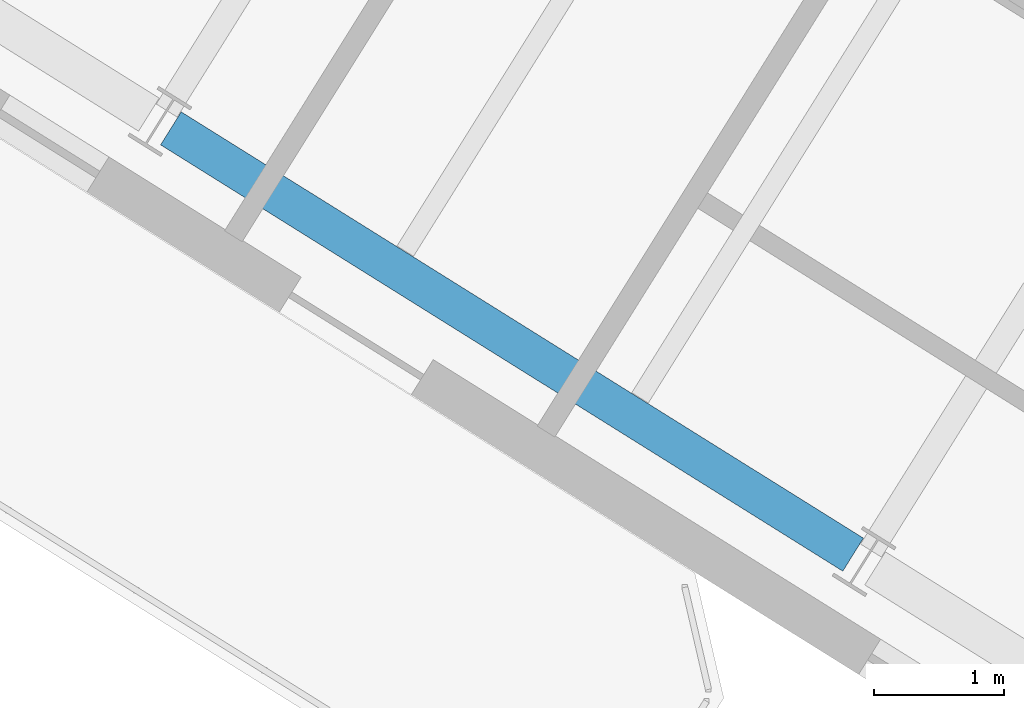
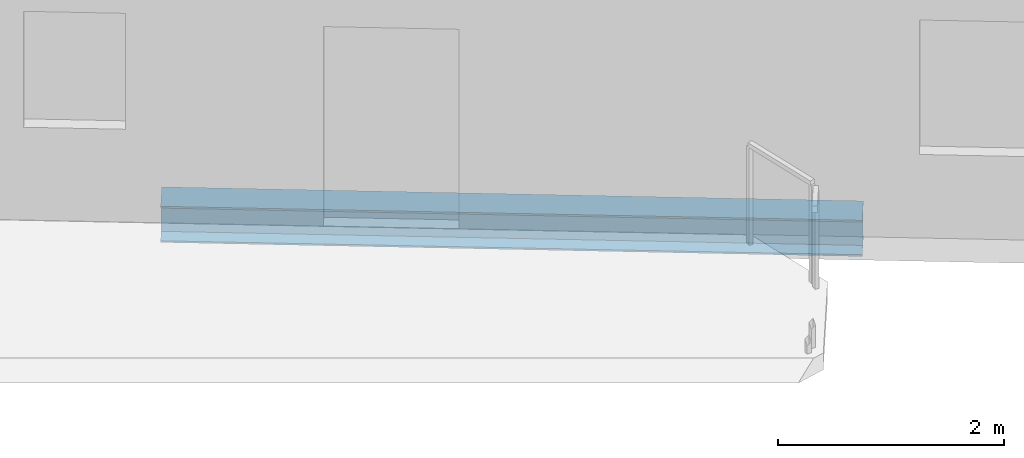
# One storey, part 5 of 27: 1 beam.
"""IFC4 building model written with IfcOpenShell, lengths in metres."""

import ifcopenshell
import ifcopenshell.guid

model = None  # the IFC model being written
_history = None  # IfcOwnerHistory: only IFC2X3 demands one
_inside = {}  # id of a spatial element -> (the spatial element, [elements in it])
_under = {}  # id of a project, library or spatial element -> (it, [spatial elements below it])
_declared = {}  # id of a project -> (the project, [libraries it declares])
_typed = {}  # id of a type object -> (the type object, [elements of that type])
_made_of = {}  # id of a material, layer set ... -> (it, [elements and type objects made of it])


def new_model(schema):
    """Start an empty IFC model of exactly this schema.

    Asked for "IFC4X3", IfcOpenShell would pick the latest addendum, in which some entities
    have other attributes; the version numbers below select the first issue.
    IFC2X3 requires an IfcOwnerHistory on every rooted entity: one is made here for all.
    """
    global model, _history
    if schema == "IFC4X3":
        model = ifcopenshell.file(schema_version=(4, 3, 0, 0))
    else:
        model = ifcopenshell.file(schema=schema)
    _inside.clear()
    _under.clear()
    _declared.clear()
    _typed.clear()
    _made_of.clear()
    _history = None
    if model.schema == "IFC2X3":
        org = make("IfcOrganization", Name="unknown")
        user = make(
            "IfcPersonAndOrganization",
            ThePerson=make("IfcPerson", FamilyName="unknown"),
            TheOrganization=org,
        )
        app = make(
            "IfcApplication",
            ApplicationDeveloper=org,
            Version="unknown",
            ApplicationFullName="unknown",
            ApplicationIdentifier="unknown",
        )
        _history = make(
            "IfcOwnerHistory",
            OwningUser=user,
            OwningApplication=app,
            ChangeAction="ADDED",
            CreationDate=0,
        )
    return model


def make(cls, **values):
    """One entity of the class cls with the attributes given. An attribute that is None is left unset."""
    return model.create_entity(
        cls, **{name: value for name, value in values.items() if value is not None}
    )


def rooted(cls, **values):
    """An entity with a GlobalId (a new one), such as an element, a storey or a relation."""
    return make(cls, GlobalId=ifcopenshell.guid.new(), OwnerHistory=_history, **values)


def si_unit(unit_type, name, prefix=None):
    """IfcSIUnit, for example si_unit("LENGTHUNIT", "METRE", prefix="MILLI")."""
    return make("IfcSIUnit", UnitType=unit_type, Prefix=prefix, Name=name)


def assignment(units):
    """IfcUnitAssignment: the units of a project."""
    return None if units is None else make("IfcUnitAssignment", Units=units)


def point(xyz):
    """IfcCartesianPoint."""
    return None if xyz is None else make("IfcCartesianPoint", Coordinates=xyz)


def direction(xyz):
    """IfcDirection."""
    return None if xyz is None else make("IfcDirection", DirectionRatios=xyz)


def frame(location, z_axis=None, x_axis=None):
    """IfcAxis2Placement3D, a coordinate frame: its origin and axes. An axis left out is left unset."""
    return make(
        "IfcAxis2Placement3D",
        Location=point(location),
        Axis=direction(z_axis),
        RefDirection=direction(x_axis),
    )


def frame_2d(location, x_axis=None):
    """IfcAxis2Placement2D, a coordinate frame in the plane: its origin and x axis."""
    return make(
        "IfcAxis2Placement2D", Location=point(location), RefDirection=direction(x_axis)
    )


def origin():
    """The frame at (0, 0, 0) with its axes left unset."""
    return frame((0.0, 0.0, 0.0))


def origin_2d():
    """The frame at (0, 0) in the plane with its x axis left unset."""
    return frame_2d((0.0, 0.0))


def place(relative_to, where):
    """IfcLocalPlacement: puts the frame where relative to a parent placement (None: the world)."""
    return make(
        "IfcLocalPlacement", PlacementRelTo=relative_to, RelativePlacement=where
    )


def context(
    kind, dimensions, precision=None, world=None, true_north=None, identifier=None
):
    """IfcGeometricRepresentationContext, for example the 3D "Model" context."""
    return make(
        "IfcGeometricRepresentationContext",
        ContextIdentifier=identifier,
        ContextType=kind,
        CoordinateSpaceDimension=dimensions,
        Precision=precision,
        WorldCoordinateSystem=world,
        TrueNorth=true_north,
    )


def subcontext(parent, identifier, kind, view, scale=None):
    """IfcGeometricRepresentationSubContext, for example "Body" below "Model"."""
    return make(
        "IfcGeometricRepresentationSubContext",
        ContextIdentifier=identifier,
        ContextType=kind,
        ParentContext=parent,
        TargetScale=scale,
        TargetView=view,
    )


def project(units=None, contexts=None):
    """IfcProject with its units and contexts."""
    return rooted(
        "IfcProject",
        Name="project",
        RepresentationContexts=contexts,
        UnitsInContext=assignment(units),
    )


def spatial(cls, under=None, at=None, **own):
    """A site, building, storey or space (cls), placed at a placement, below another one or the project."""
    s = rooted(cls, ObjectPlacement=at, **own)
    if under is not None:
        _under.setdefault(under.id(), (under, []))[1].append(s)
    return s


def profile(cls, at=None, kind="AREA", **sizes):
    """A parametric profile (cls). Its sizes go by their IFC names, for example OverallWidth=200.0."""
    return make(cls, ProfileType=kind, Position=at, **sizes)


def i_section(**sizes):
    """IfcIShapeProfileDef."""
    return profile("IfcIShapeProfileDef", **sizes)


def extrude(swept, where, along, depth):
    """IfcExtrudedAreaSolid: the profile swept, set in the frame where, extruded along a direction by depth."""
    return make(
        "IfcExtrudedAreaSolid",
        SweptArea=swept,
        Position=where,
        ExtrudedDirection=direction(along),
        Depth=depth,
    )


def shape(context_of_items, identifier, shape_type, items):
    """IfcShapeRepresentation: the items that make up one representation, for example the "Body"."""
    return make(
        "IfcShapeRepresentation",
        ContextOfItems=context_of_items,
        RepresentationIdentifier=identifier,
        RepresentationType=shape_type,
        Items=items,
    )


def source(mapping_origin, context_of_items, identifier, shape_type, items):
    """IfcRepresentationMap: a shape defined once, which mapped items show again and again."""
    return make(
        "IfcRepresentationMap",
        MappingOrigin=mapping_origin,
        MappedRepresentation=shape(context_of_items, identifier, shape_type, items),
    )


def transform(
    local_origin,
    x_axis=None,
    y_axis=None,
    z_axis=None,
    scale=None,
    scale2=None,
    scale3=None,
    uniform=True,
):
    """IfcCartesianTransformationOperator3D, or its non-uniform kind. x_axis, y_axis, z_axis: its Axis1, 2, 3."""
    if uniform:
        return make(
            "IfcCartesianTransformationOperator3D",
            Axis1=direction(x_axis),
            Axis2=direction(y_axis),
            LocalOrigin=point(local_origin),
            Scale=scale,
            Axis3=direction(z_axis),
        )
    return make(
        "IfcCartesianTransformationOperator3DnonUniform",
        Axis1=direction(x_axis),
        Axis2=direction(y_axis),
        LocalOrigin=point(local_origin),
        Scale=scale,
        Axis3=direction(z_axis),
        Scale2=scale2,
        Scale3=scale3,
    )


def mapped(mapping_source, mapping_target):
    """IfcMappedItem: shows the shape of a source again, moved by a transform."""
    return make(
        "IfcMappedItem", MappingSource=mapping_source, MappingTarget=mapping_target
    )


def material(Name=None, Category=None):
    """IfcMaterial."""
    return make("IfcMaterial", Name=Name, Category=Category)


def material_profile(
    of_material, cross_section, Name=None, Category=None, Priority=None
):
    """IfcMaterialProfile: a cross section and its material."""
    return make(
        "IfcMaterialProfile",
        Name=Name,
        Material=of_material,
        Profile=cross_section,
        Priority=Priority,
        Category=Category,
    )


def profile_set(profiles, Name=None, composite=None):
    """IfcMaterialProfileSet."""
    return make(
        "IfcMaterialProfileSet",
        Name=Name,
        MaterialProfiles=profiles,
        CompositeProfile=composite,
    )


def made_of(thing, what):
    """Note that an element or type object is made of a material, layer set ...; save() writes the relation."""
    if what is not None:
        _made_of.setdefault(what.id(), (what, []))[1].append(thing)
    return thing


def type_object(cls, material=None, **own):
    """A type object (cls), such as IfcWallType, which elements share."""
    return made_of(rooted(cls, **own), material)


def element(
    cls,
    number,
    at=None,
    inside=None,
    cuts=None,
    type_object=None,
    material=None,
    context=None,
    identifier="Body",
    shape_type=None,
    held_by="IfcProductDefinitionShape",
    body=None,
    shapes=None,
    **own,
):
    """One element of the class cls, such as IfcWall. Its Tag is "e" and its number.

    at: its placement. inside: the storey or other place that contains it. cuts: it is an
    opening in that element (IfcRelVoidsElement). A single representation is given by context,
    identifier, shape_type and body (its items); several are given by shapes. held_by: the class
    of the entity that holds the representations. save() writes the other relations.
    """
    e = rooted(cls, Tag="e%d" % number, ObjectPlacement=at, **own)
    if body is not None:
        shapes = [shape(context, identifier, shape_type, body)]
    if shapes is not None:
        e.Representation = make(held_by, Representations=shapes)
    if inside is not None:
        _inside.setdefault(inside.id(), (inside, []))[1].append(e)
    if cuts is not None:
        rooted(
            "IfcRelVoidsElement", RelatingBuildingElement=cuts, RelatedOpeningElement=e
        )
    if type_object is not None:
        _typed.setdefault(type_object.id(), (type_object, []))[1].append(e)
    return made_of(e, material)


def aggregate(whole, parts):
    """IfcRelAggregates: a whole, such as a stair, and the parts it consists of."""
    return rooted("IfcRelAggregates", RelatingObject=whole, RelatedObjects=parts)


def save(model, path):
    """Write the relations noted so far, then the file.

    IfcRelAggregates (storeys below a building ...), IfcRelContainedInSpatialStructure (elements
    in a storey), IfcRelDefinesByType, IfcRelAssociatesMaterial and IfcRelDeclares: one each for
    every whole, place, type object, material and project.
    """
    for whole, parts in _under.values():
        aggregate(whole, parts)
    for where, things in _inside.values():
        rooted(
            "IfcRelContainedInSpatialStructure",
            RelatedElements=things,
            RelatingStructure=where,
        )
    for kind, things in _typed.values():
        rooted("IfcRelDefinesByType", RelatedObjects=things, RelatingType=kind)
    for what, things in _made_of.values():
        rooted("IfcRelAssociatesMaterial", RelatedObjects=things, RelatingMaterial=what)
    for by, libraries in _declared.values():
        rooted("IfcRelDeclares", RelatingContext=by, RelatedDefinitions=libraries)
    model.write(path)


model = new_model("IFC4")

# Units and contexts
model_context = context("Model", 3, precision=1e-05, world=origin(), true_north=direction((0.0, 1.0)))
body_context = subcontext(model_context, "Body", "Model", "MODEL_VIEW")
ifc_project = project(units=[si_unit("LENGTHUNIT", "METRE"), si_unit("AREAUNIT", "SQUARE_METRE"), si_unit("VOLUMEUNIT", "CUBIC_METRE"), si_unit("PLANEANGLEUNIT", "RADIAN"), si_unit("MASSUNIT", "GRAM", prefix="KILO")], contexts=[model_context])

# Site, building, storey
site_placement = place(None, origin())
site = spatial("IfcSite", under=ifc_project, at=site_placement, CompositionType="ELEMENT")
building_placement = place(site_placement, origin())
building = spatial("IfcBuilding", under=site, at=building_placement, Name="Tlacorven Tower", CompositionType="ELEMENT")
storey_placement = place(building_placement, frame((0.0, 0.0, 242.10009765625)))
storey = spatial("IfcBuildingStorey", under=building, at=storey_placement, Name="L61", CompositionType="ELEMENT", Elevation=242.10009765625)

# Beam
ifc_material = material(Name="Steel S355J2", Category="steel")
ifc_material_profile = material_profile(ifc_material, i_section(OverallWidth=0.300048828125, OverallDepth=0.389892578125, WebThickness=0.010986328125, FlangeThickness=0.01904296875, at=origin_2d()), Name="HEA 400")
ifc_profile_set = profile_set([ifc_material_profile], Name="Steel S355J2")
beam_type = type_object("IfcBeamType", Name="BM-SPN-400", PredefinedType="SPANDREL", material=ifc_profile_set)
shared_shape = source(origin(), body_context, "Body", "SweptSolid", [
    extrude(i_section(OverallWidth=0.300048828125, OverallDepth=0.389892578125, WebThickness=0.010986328125, FlangeThickness=0.01904296875, at=origin_2d()), origin(), (0.0, 0.0, 1.0), 6.199951171875),
])
beam_placement = place(storey_placement, frame((18.82080078125, 13.6650390625, -0.445068359375), z_axis=(-0.848051394107, 0.529913986372, 0.0), x_axis=(-0.529913986372, -0.848051394107, 0.0)))
element("IfcBeam", 1, at=beam_placement, inside=storey, type_object=beam_type, Name="L61 beam BM-L61-WL4-3", PredefinedType="SPANDREL", context=body_context, shape_type="MappedRepresentation", body=[
    mapped(shared_shape, transform((0.0, 0.0, 0.0), scale=1.0)),
])

save(model, "model.ifc")
